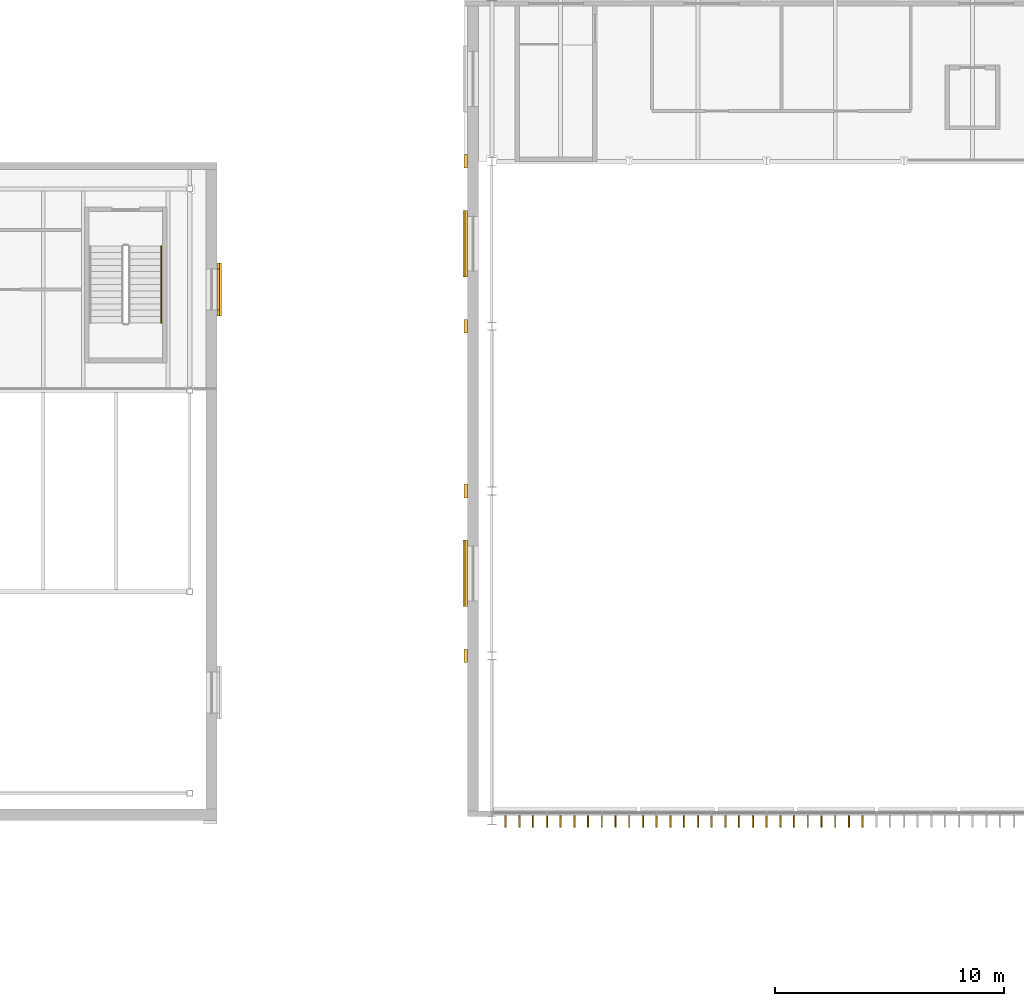
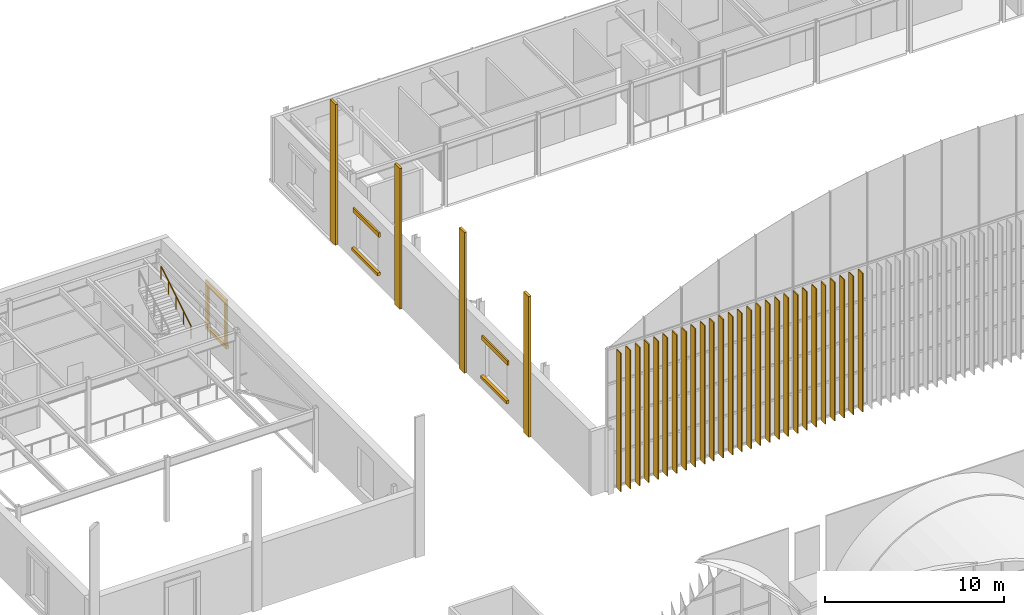
# One storey, part 164 of 169: 27 shading devices, 12 coverings, 1 railing.
"""IFC4 building model written with IfcOpenShell, lengths in metres."""

from ifc_helpers import new_model, si_unit, direction, frame, origin, origin_2d, place, context, subcontext, project, spatial, polyline, rectangle, circle, outline, extrude, material, layer, layer_set, type_object, element, save


model = new_model("IFC4")

# Units and contexts
model_context = context("Model", 3, precision=1e-05, world=origin(), true_north=direction((0.0, 1.0)))
body_context = subcontext(model_context, "Body", "Model", "MODEL_VIEW")
ifc_project = project(units=[si_unit("LENGTHUNIT", "METRE"), si_unit("AREAUNIT", "SQUARE_METRE"), si_unit("VOLUMEUNIT", "CUBIC_METRE"), si_unit("PLANEANGLEUNIT", "RADIAN"), si_unit("MASSUNIT", "GRAM", prefix="KILO")], contexts=[model_context])

# Site, building, storey
site_placement = place(None, origin())
site = spatial("IfcSite", under=ifc_project, at=site_placement, CompositionType="ELEMENT")
building_placement = place(site_placement, origin())
building = spatial("IfcBuilding", under=site, at=building_placement, Name="Verrick Yard Athletic Hall", CompositionType="ELEMENT")
storey_placement = place(building_placement, frame((0.0, 0.0, 4.39990234375)))
storey = spatial("IfcBuildingStorey", under=building, at=storey_placement, Name="L01", CompositionType="ELEMENT", Elevation=4.39990234375)

# Shading devices
ifc_material_1 = material(Name="Anodised aluminium", Category="aluminium")
ifc_layer_1 = layer(ifc_material_1, 0.0625)
ifc_layer_set_1 = layer_set([ifc_layer_1], Name="Hall facade fin")
shading_device_type = type_object("IfcShadingDeviceType", Name="Hall facade fin", PredefinedType="USERDEFINED", material=ifc_layer_set_1)
for number, where, z_axis, x_axis, name in (
    (1, (122.199951171875, 71.71826171875, 0.0), (0.0, 0.0, 1.0), (0.0, 1.0, 0.0), "ENVB-HAS-FIN00"),
    (2, (122.800048828125, 71.71826171875, 0.0), (0.0, 0.0, 1.0), (0.0, 1.0, 0.0), "ENVB-HAS-FIN01"),
    (3, (123.39990234375, 71.71826171875, 0.0), (0.0, 0.0, 1.0), (0.0, 1.0, 0.0), "ENVB-HAS-FIN02"),
    (4, (124.0, 71.71826171875, 0.0), (0.0, 0.0, 1.0), (0.0, 1.0, 0.0), "ENVB-HAS-FIN03"),
    (5, (124.60009765625, 71.71826171875, 0.0), (0.0, 0.0, 1.0), (0.0, 1.0, 0.0), "ENVB-HAS-FIN04"),
    (6, (125.199951171875, 71.71826171875, 0.0), (0.0, 0.0, 1.0), (0.0, 1.0, 0.0), "ENVB-HAS-FIN05"),
    (7, (125.800048828125, 71.71826171875, 0.0), (0.0, 0.0, 1.0), (0.0, 1.0, 0.0), "ENVB-HAS-FIN06"),
    (8, (126.39990234375, 71.71826171875, 0.0), (0.0, 0.0, 1.0), (0.0, 1.0, 0.0), "ENVB-HAS-FIN07"),
    (9, (127.0, 71.71826171875, 0.0), (0.0, 0.0, 1.0), (0.0, 1.0, 0.0), "ENVB-HAS-FIN08"),
    (10, (127.60009765625, 71.71826171875, 0.0), (0.0, 0.0, 1.0), (0.0, 1.0, 0.0), "ENVB-HAS-FIN09"),
    (11, (128.199951171875, 71.71826171875, 0.0), (0.0, 0.0, 1.0), (0.0, 1.0, 0.0), "ENVB-HAS-FIN10"),
    (12, (128.800048828125, 71.71826171875, 0.0), (0.0, 0.0, 1.0), (0.0, 1.0, 0.0), "ENVB-HAS-FIN11"),
    (13, (129.39990234375, 71.71826171875, 0.0), (0.0, 0.0, 1.0), (0.0, 1.0, 0.0), "ENVB-HAS-FIN12"),
    (14, (130.0, 71.71826171875, 0.0), (0.0, 0.0, 1.0), (0.0, 1.0, 0.0), "ENVB-HAS-FIN13"),
    (15, (130.60009765625, 71.71826171875, 0.0), (0.0, 0.0, 1.0), (0.0, 1.0, 0.0), "ENVB-HAS-FIN14"),
    (16, (131.199951171875, 71.71826171875, 0.0), (0.0, 0.0, 1.0), (0.0, 1.0, 0.0), "ENVB-HAS-FIN15"),
    (17, (131.800048828125, 71.71826171875, 0.0), (0.0, 0.0, 1.0), (0.0, 1.0, 0.0), "ENVB-HAS-FIN16"),
    (18, (132.39990234375, 71.71826171875, 0.0), (0.0, 0.0, 1.0), (0.0, 1.0, 0.0), "ENVB-HAS-FIN17"),
    (19, (133.0, 71.71826171875, 0.0), (0.0, 0.0, 1.0), (0.0, 1.0, 0.0), "ENVB-HAS-FIN18"),
    (20, (133.60009765625, 71.71826171875, 0.0), (0.0, 0.0, 1.0), (0.0, 1.0, 0.0), "ENVB-HAS-FIN19"),
    (21, (134.199951171875, 71.71826171875, 0.0), (0.0, 0.0, 1.0), (0.0, 1.0, 0.0), "ENVB-HAS-FIN20"),
    (22, (134.800048828125, 71.71826171875, 0.0), (0.0, 0.0, 1.0), (0.0, 1.0, 0.0), "ENVB-HAS-FIN21"),
    (23, (135.39990234375, 71.71826171875, 0.0), (0.0, 0.0, 1.0), (0.0, 1.0, 0.0), "ENVB-HAS-FIN22"),
    (24, (136.0, 71.71826171875, 0.0), (0.0, 0.0, 1.0), (0.0, 1.0, 0.0), "ENVB-HAS-FIN23"),
    (25, (136.60009765625, 71.71826171875, 0.0), (0.0, 0.0, 1.0), (0.0, 1.0, 0.0), "ENVB-HAS-FIN24"),
    (26, (137.199951171875, 71.71826171875, 0.0), (0.0, 0.0, 1.0), (0.0, 1.0, 0.0), "ENVB-HAS-FIN25"),
    (27, (137.800048828125, 71.71826171875, 0.0), (0.0, 0.0, 1.0), (0.0, 1.0, 0.0), "ENVB-HAS-FIN26"),
):
    element("IfcShadingDevice", number, at=place(storey_placement, frame(where, z_axis=z_axis, x_axis=x_axis)), inside=storey, type_object=shading_device_type, Name=name, ObjectType="FIN", PredefinedType="USERDEFINED", context=body_context, shape_type="SweptSolid", body=[
        extrude(outline(polyline([(0.0, 0.0), (0.5, 0.0), (0.5, 9.4501953125), (0.0, 9.4501953125), (0.0, 0.0)])), frame((0.0, 0.03125, 0.0), z_axis=(0.0, -1.0, 0.0), x_axis=(1.0, 0.0, 0.0)), (0.0, 0.0, 1.0), 0.0625),
    ])

# Railing
ifc_material_2 = material(Name="Stainless steel", Category="steel")
railing_type = type_object("IfcRailingType", Name="Stair handrail 900", PredefinedType="HANDRAIL", material=ifc_material_2)
railing_placement = place(storey_placement, frame((107.14990234375, 93.739990234375, 2.369384765625)))
element("IfcRailing", 28, at=railing_placement, inside=storey, type_object=railing_type, Name="L01 Climbing hall east stair handrail 2", PredefinedType="HANDRAIL", context=body_context, shape_type="SweptSolid", body=[
    extrude(circle(Radius=0.02392578125, at=origin_2d()), frame((0.0, 0.0, 0.8759765625), z_axis=(0.0, 0.855836976705, 0.517245656632), x_axis=(-1.0, 0.0, 0.0)), (0.0, 0.0, 1.0), 3.926025390625),
    extrude(circle(Radius=0.02099609375, at=origin_2d()), origin(), (0.0, 0.0, 1.0), 0.851806640625),
    extrude(circle(Radius=0.02099609375, at=origin_2d()), frame((0.0, 0.840087890625, 0.5078125)), (0.0, 0.0, 1.0), 0.851806640625),
    extrude(circle(Radius=0.02099609375, at=origin_2d()), frame((0.0, 1.68017578125, 1.015380859375)), (0.0, 0.0, 1.0), 0.851806640625),
    extrude(circle(Radius=0.02099609375, at=origin_2d()), frame((0.0, 2.52001953125, 1.52294921875)), (0.0, 0.0, 1.0), 0.851806640625),
    extrude(circle(Radius=0.02099609375, at=origin_2d()), frame((0.0, 3.360107421875, 2.03076171875)), (0.0, 0.0, 1.0), 0.851806640625),
])

# Coverings
ifc_material_3 = material(Name="Tyndall-stone-look precast cladding", Category="masonry")
ifc_layer_2 = layer(ifc_material_3, 0.125)
ifc_layer_set_2 = layer_set([ifc_layer_2], Name="Stone cladding")
covering_type_1 = type_object("IfcCoveringType", Name="Stone cladding", PredefinedType="CLADDING", material=ifc_layer_set_2)
for number, where, z_axis, x_axis, name in (
    (29, (120.449951171875, 79.199951171875, 0.0), (0.0, 0.0, 1.0), (1.0, 0.0, 0.0), "ENVB-HA-W-PIL1"),
    (30, (120.449951171875, 86.39990234375, 0.0), (0.0, 0.0, 1.0), (1.0, 0.0, 0.0), "ENVB-HA-W-PIL2"),
    (31, (120.449951171875, 93.60009765625, 0.0), (0.0, 0.0, 1.0), (1.0, 0.0, 0.0), "ENVB-HA-W-PIL3"),
    (32, (120.449951171875, 100.800048828125, 0.0), (0.0, 0.0, 1.0), (1.0, 0.0, 0.0), "ENVB-HA-W-PIL4"),
):
    element("IfcCovering", number, at=place(storey_placement, frame(where, z_axis=z_axis, x_axis=x_axis)), inside=storey, type_object=covering_type_1, Name=name, PredefinedType="CLADDING", context=body_context, shape_type="SweptSolid", body=[
        extrude(rectangle(XDim=0.14990234375, YDim=0.60009765625, at=origin_2d()), origin(), (0.0, 0.0, 1.0), 9.60009765625),
    ])
ifc_layer_3 = layer(ifc_material_3, 0.25)
ifc_layer_set_3 = layer_set([ifc_layer_3], Name="Stone moulding")
covering_type_2 = type_object("IfcCoveringType", Name="Stone moulding", PredefinedType="MOLDING", material=ifc_layer_set_3)
covering_1_placement = place(storey_placement, frame((109.68994140625, 95.199951171875, 0.60009765625), z_axis=(0.0, 0.0, 1.0), x_axis=(0.0, 1.0, 0.0)))
element("IfcCovering", 33, at=covering_1_placement, inside=storey, type_object=covering_type_2, Name="Window sill", PredefinedType="MOLDING", context=body_context, shape_type="SweptSolid", body=[
    extrude(rectangle(XDim=2.300048828125, YDim=0.179931640625, at=origin_2d()), origin(), (0.0, 0.0, 1.0), 0.199951171875),
])
covering_2_placement = place(storey_placement, frame((109.64990234375, 95.199951171875, 3.60009765625), z_axis=(0.0, 0.0, 1.0), x_axis=(0.0, 1.0, 0.0)))
element("IfcCovering", 34, at=covering_2_placement, inside=storey, type_object=covering_type_2, Name="Window head", PredefinedType="MOLDING", context=body_context, shape_type="SweptSolid", body=[
    extrude(rectangle(XDim=2.300048828125, YDim=0.10009765625, at=origin_2d()), origin(), (0.0, 0.0, 1.0), 0.35009765625),
])
for number, where, z_axis, x_axis, name in (
    (35, (109.64990234375, 94.175048828125, 0.80029296875), (0.0, 0.0, 1.0), (0.0, 1.0, 0.0), "Window jamb"),
    (36, (109.64990234375, 96.22509765625, 0.80029296875), (0.0, 0.0, 1.0), (0.0, 1.0, 0.0), "Window jamb"),
):
    element("IfcCovering", number, at=place(storey_placement, frame(where, z_axis=z_axis, x_axis=x_axis)), inside=storey, type_object=covering_type_2, Name=name, PredefinedType="MOLDING", context=body_context, shape_type="SweptSolid", body=[
        extrude(rectangle(XDim=0.25, YDim=0.10009765625, at=origin_2d()), origin(), (0.0, 0.0, 1.0), 2.800048828125),
    ])
covering_3_placement = place(storey_placement, frame((120.43505859375, 82.80078125, 0.80029296875), z_axis=(0.0, 0.0, 1.0), x_axis=(0.0, 1.0, 0.0)))
element("IfcCovering", 37, at=covering_3_placement, inside=storey, type_object=covering_type_2, Name="Window sill", PredefinedType="MOLDING", context=body_context, shape_type="SweptSolid", body=[
    extrude(rectangle(XDim=2.89990234375, YDim=0.179931640625, at=origin_2d()), origin(), (0.0, 0.0, 1.0), 0.199951171875),
])
covering_4_placement = place(storey_placement, frame((120.47509765625, 82.80078125, 3.39990234375), z_axis=(0.0, 0.0, 1.0), x_axis=(0.0, 1.0, 0.0)))
element("IfcCovering", 38, at=covering_4_placement, inside=storey, type_object=covering_type_2, Name="Window head", PredefinedType="MOLDING", context=body_context, shape_type="SweptSolid", body=[
    extrude(rectangle(XDim=2.89990234375, YDim=0.10009765625, at=origin_2d()), origin(), (0.0, 0.0, 1.0), 0.300048828125),
])
covering_5_placement = place(storey_placement, frame((120.43505859375, 97.200927734375, 0.80029296875), z_axis=(0.0, 0.0, 1.0), x_axis=(0.0, 1.0, 0.0)))
element("IfcCovering", 39, at=covering_5_placement, inside=storey, type_object=covering_type_2, Name="Window sill", PredefinedType="MOLDING", context=body_context, shape_type="SweptSolid", body=[
    extrude(rectangle(XDim=2.89990234375, YDim=0.179931640625, at=origin_2d()), origin(), (0.0, 0.0, 1.0), 0.199951171875),
])
covering_6_placement = place(storey_placement, frame((120.47509765625, 97.200927734375, 3.39990234375), z_axis=(0.0, 0.0, 1.0), x_axis=(0.0, 1.0, 0.0)))
element("IfcCovering", 40, at=covering_6_placement, inside=storey, type_object=covering_type_2, Name="Window head", PredefinedType="MOLDING", context=body_context, shape_type="SweptSolid", body=[
    extrude(rectangle(XDim=2.89990234375, YDim=0.10009765625, at=origin_2d()), origin(), (0.0, 0.0, 1.0), 0.300048828125),
])

save(model, "model.ifc")
